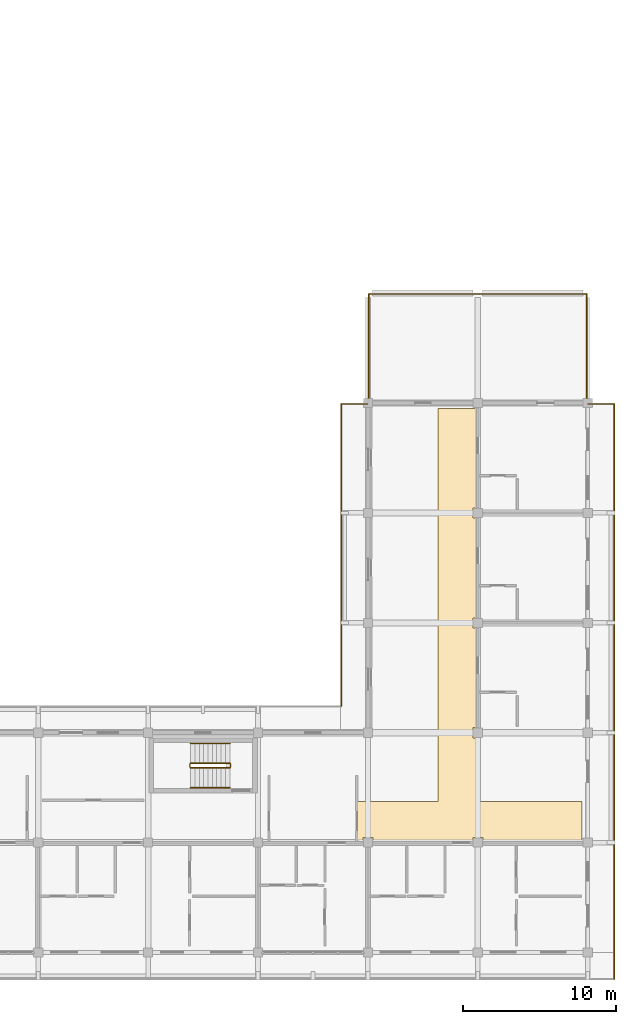
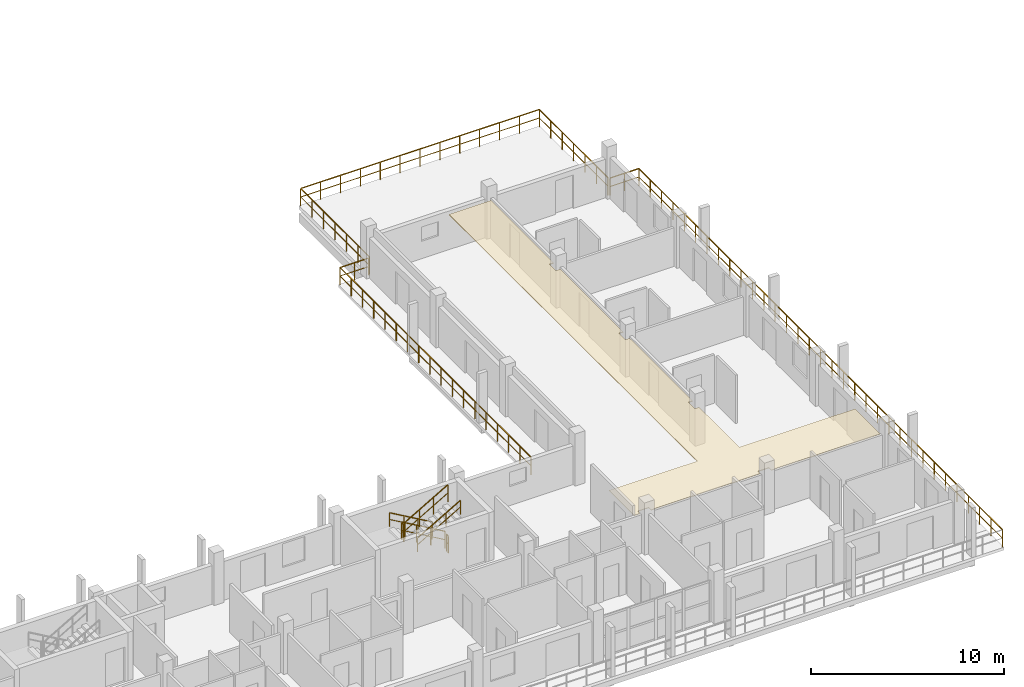
# One storey, part 71 of 75: 13 railings, 1 covering.
"""IFC4 building model written with IfcOpenShell, lengths in metres."""

from ifc_helpers import new_model, si_unit, direction, frame, origin, origin_2d, place, context, subcontext, project, spatial, polyline, rectangle, outline, extrude, material, layer, layer_set, type_object, element, save


model = new_model("IFC4")

# Units and contexts
model_context = context("Model", 3, precision=1e-05, world=origin(), true_north=direction((0.0, 1.0)))
body_context = subcontext(model_context, "Body", "Model", "MODEL_VIEW")
ifc_project = project(units=[si_unit("LENGTHUNIT", "METRE"), si_unit("AREAUNIT", "SQUARE_METRE"), si_unit("VOLUMEUNIT", "CUBIC_METRE"), si_unit("PLANEANGLEUNIT", "RADIAN"), si_unit("MASSUNIT", "GRAM", prefix="KILO")], contexts=[model_context])

# Site, building, storey
site_placement = place(None, origin())
site = spatial("IfcSite", under=ifc_project, at=site_placement, CompositionType="ELEMENT")
building_placement = place(site_placement, origin())
building = spatial("IfcBuilding", under=site, at=building_placement, Name="Suanplinth Sawtooth Commons", CompositionType="ELEMENT")
storey_placement = place(building_placement, frame((0.0, 0.0, 18.60009765625)))
storey = spatial("IfcBuildingStorey", under=building, at=storey_placement, Name="L05", CompositionType="ELEMENT", Elevation=18.60009765625)

# Covering
ifc_material_1 = material(Name="Mineral fibre acoustic tile")
ifc_layer = layer(ifc_material_1, 0.0400390625, Name="Perforated mineral-fibre acoustic suspended ceiling")
ifc_layer_set = layer_set([ifc_layer], Name="Mineral fibre acoustic tile")
covering_type = type_object("IfcCoveringType", Name="CV-CE01", PredefinedType="CEILING", material=ifc_layer_set)
covering_placement = place(storey_placement, frame((0.0, 0.0, 2.3798828125)))
element("IfcCovering", 1, at=covering_placement, inside=storey, type_object=covering_type, Name="L05 Block C Corridor Acoustic Ceiling", PredefinedType="CEILING", context=body_context, shape_type="SweptSolid", body=[
    extrude(outline(polyline([(172.1201171875, 9.89990234375), (177.39990234375, 9.89990234375), (177.39990234375, 35.639892578125), (179.919921875, 35.639892578125), (179.919921875, 29.1298828125), (179.669921875, 29.1298828125), (179.669921875, 28.469970703125), (179.919921875, 28.469970703125), (179.919921875, 21.929931640625), (179.669921875, 21.929931640625), (179.669921875, 21.27001953125), (179.919921875, 21.27001953125), (179.919921875, 14.72998046875), (179.669921875, 14.72998046875), (179.669921875, 14.070068359375), (179.919921875, 14.070068359375), (179.919921875, 9.89990234375), (186.840087890625, 9.89990234375), (186.840087890625, 7.280029296875), (180.330078125, 7.280029296875), (180.330078125, 7.530029296875), (179.669921875, 7.530029296875), (179.669921875, 7.280029296875), (173.1298828125, 7.280029296875), (173.1298828125, 7.530029296875), (172.469970703125, 7.530029296875), (172.469970703125, 7.280029296875), (172.1201171875, 7.280029296875), (172.1201171875, 9.89990234375)])), origin(), (0.0, 0.0, 1.0), 0.0400390625),
])

# Railings
ifc_material_2 = material(Name="Powder-coated galvanized steel", Category="steel")
railing_type_1 = type_object("IfcRailingType", Name="GR-01", PredefinedType="BALUSTRADE", material=ifc_material_2)
railing_1_placement = place(storey_placement, frame((171.06005859375, 16.139892578125, 0.0)))
element("IfcRailing", 2, at=railing_1_placement, inside=storey, type_object=railing_type_1, Name="L05 Block C Perimeter Balustrade 7", PredefinedType="BALUSTRADE", context=body_context, shape_type="SweptSolid", body=[
    extrude(rectangle(XDim=0.048095703125, YDim=0.048095703125, at=origin_2d()), frame((0.0, 0.0, 1.09619140625), z_axis=(0.0, 1.0, 0.0), x_axis=(-1.0, 0.0, 0.0)), (0.0, 0.0, 1.0), 19.800048828125),
    extrude(rectangle(XDim=0.03369140625, YDim=0.03369140625, at=origin_2d()), frame((0.0, 0.0, 0.56005859375), z_axis=(0.0, 1.0, 0.0), x_axis=(-1.0, 0.0, 0.0)), (0.0, 0.0, 1.0), 19.800048828125),
    extrude(rectangle(XDim=0.0419921875, YDim=0.0419921875, at=origin_2d()), origin(), (0.0, 0.0, 1.0), 1.072021484375),
    extrude(rectangle(XDim=0.0419921875, YDim=0.0419921875, at=origin_2d()), frame((0.0, 1.164794921875, 0.0)), (0.0, 0.0, 1.0), 1.072021484375),
    extrude(rectangle(XDim=0.0419921875, YDim=0.0419921875, at=origin_2d()), frame((0.0, 2.329345703125, 0.0)), (0.0, 0.0, 1.0), 1.072021484375),
    extrude(rectangle(XDim=0.0419921875, YDim=0.0419921875, at=origin_2d()), frame((0.0, 3.494140625, 0.0)), (0.0, 0.0, 1.0), 1.072021484375),
    extrude(rectangle(XDim=0.0419921875, YDim=0.0419921875, at=origin_2d()), frame((0.0, 4.658935546875, 0.0)), (0.0, 0.0, 1.0), 1.072021484375),
    extrude(rectangle(XDim=0.0419921875, YDim=0.0419921875, at=origin_2d()), frame((0.0, 5.823486328125, 0.0)), (0.0, 0.0, 1.0), 1.072021484375),
    extrude(rectangle(XDim=0.0419921875, YDim=0.0419921875, at=origin_2d()), frame((0.0, 6.98828125, 0.0)), (0.0, 0.0, 1.0), 1.072021484375),
    extrude(rectangle(XDim=0.0419921875, YDim=0.0419921875, at=origin_2d()), frame((0.0, 8.153076171875, 0.0)), (0.0, 0.0, 1.0), 1.072021484375),
    extrude(rectangle(XDim=0.0419921875, YDim=0.0419921875, at=origin_2d()), frame((0.0, 9.317626953125, 0.0)), (0.0, 0.0, 1.0), 1.072021484375),
    extrude(rectangle(XDim=0.0419921875, YDim=0.0419921875, at=origin_2d()), frame((0.0, 10.482421875, 0.0)), (0.0, 0.0, 1.0), 1.072021484375),
    extrude(rectangle(XDim=0.0419921875, YDim=0.0419921875, at=origin_2d()), frame((0.0, 11.64697265625, 0.0)), (0.0, 0.0, 1.0), 1.072021484375),
    extrude(rectangle(XDim=0.0419921875, YDim=0.0419921875, at=origin_2d()), frame((0.0, 12.811767578125, 0.0)), (0.0, 0.0, 1.0), 1.072021484375),
    extrude(rectangle(XDim=0.0419921875, YDim=0.0419921875, at=origin_2d()), frame((0.0, 13.9765625, 0.0)), (0.0, 0.0, 1.0), 1.072021484375),
    extrude(rectangle(XDim=0.0419921875, YDim=0.0419921875, at=origin_2d()), frame((0.0, 15.14111328125, 0.0)), (0.0, 0.0, 1.0), 1.072021484375),
    extrude(rectangle(XDim=0.0419921875, YDim=0.0419921875, at=origin_2d()), frame((0.0, 16.305908203125, 0.0)), (0.0, 0.0, 1.0), 1.072021484375),
    extrude(rectangle(XDim=0.0419921875, YDim=0.0419921875, at=origin_2d()), frame((0.0, 17.470703125, 0.0)), (0.0, 0.0, 1.0), 1.072021484375),
    extrude(rectangle(XDim=0.0419921875, YDim=0.0419921875, at=origin_2d()), frame((0.0, 18.63525390625, 0.0)), (0.0, 0.0, 1.0), 1.072021484375),
    extrude(rectangle(XDim=0.0419921875, YDim=0.0419921875, at=origin_2d()), frame((0.0, 19.800048828125, 0.0)), (0.0, 0.0, 1.0), 1.072021484375),
])
railing_2_placement = place(storey_placement, frame((171.06005859375, 35.93994140625, 0.0)))
element("IfcRailing", 3, at=railing_2_placement, inside=storey, type_object=railing_type_1, Name="L05 Block C Perimeter Balustrade 8", PredefinedType="BALUSTRADE", context=body_context, shape_type="SweptSolid", body=[
    extrude(rectangle(XDim=0.048095703125, YDim=0.048095703125, at=origin_2d()), frame((0.0, 0.0, 1.09619140625), z_axis=(1.0, 0.0, 0.0), x_axis=(0.0, 1.0, 0.0)), (0.0, 0.0, 1.0), 1.719970703125),
    extrude(rectangle(XDim=0.03369140625, YDim=0.03369140625, at=origin_2d()), frame((0.0, 0.0, 0.56005859375), z_axis=(1.0, 0.0, 0.0), x_axis=(0.0, 1.0, 0.0)), (0.0, 0.0, 1.0), 1.719970703125),
    extrude(rectangle(XDim=0.0419921875, YDim=0.0419921875, at=origin_2d()), origin(), (0.0, 0.0, 1.0), 1.072021484375),
    extrude(rectangle(XDim=0.0419921875, YDim=0.0419921875, at=origin_2d()), frame((0.85986328125, 0.0, 0.0)), (0.0, 0.0, 1.0), 1.072021484375),
    extrude(rectangle(XDim=0.0419921875, YDim=0.0419921875, at=origin_2d()), frame((1.719970703125, 0.0, 0.0)), (0.0, 0.0, 1.0), 1.072021484375),
])
railing_3_placement = place(storey_placement, frame((172.860107421875, 36.02001953125, 0.0)))
element("IfcRailing", 4, at=railing_3_placement, inside=storey, type_object=railing_type_1, Name="L05 Block C Perimeter Balustrade 9", PredefinedType="BALUSTRADE", context=body_context, shape_type="SweptSolid", body=[
    extrude(rectangle(XDim=0.048095703125, YDim=0.048095703125, at=origin_2d()), frame((0.0, 0.0, 1.09619140625), z_axis=(0.0, 1.0, 0.0), x_axis=(-1.0, 0.0, 0.0)), (0.0, 0.0, 1.0), 7.119873046875),
    extrude(rectangle(XDim=0.03369140625, YDim=0.03369140625, at=origin_2d()), frame((0.0, 0.0, 0.56005859375), z_axis=(0.0, 1.0, 0.0), x_axis=(-1.0, 0.0, 0.0)), (0.0, 0.0, 1.0), 7.119873046875),
    extrude(rectangle(XDim=0.0419921875, YDim=0.0419921875, at=origin_2d()), origin(), (0.0, 0.0, 1.0), 1.072021484375),
    extrude(rectangle(XDim=0.0419921875, YDim=0.0419921875, at=origin_2d()), frame((0.0, 1.1865234375, 0.0)), (0.0, 0.0, 1.0), 1.072021484375),
    extrude(rectangle(XDim=0.0419921875, YDim=0.0419921875, at=origin_2d()), frame((0.0, 2.373291015625, 0.0)), (0.0, 0.0, 1.0), 1.072021484375),
    extrude(rectangle(XDim=0.0419921875, YDim=0.0419921875, at=origin_2d()), frame((0.0, 3.56005859375, 0.0)), (0.0, 0.0, 1.0), 1.072021484375),
    extrude(rectangle(XDim=0.0419921875, YDim=0.0419921875, at=origin_2d()), frame((0.0, 4.74658203125, 0.0)), (0.0, 0.0, 1.0), 1.072021484375),
    extrude(rectangle(XDim=0.0419921875, YDim=0.0419921875, at=origin_2d()), frame((0.0, 5.93310546875, 0.0)), (0.0, 0.0, 1.0), 1.072021484375),
    extrude(rectangle(XDim=0.0419921875, YDim=0.0419921875, at=origin_2d()), frame((0.0, 7.119873046875, 0.0)), (0.0, 0.0, 1.0), 1.072021484375),
])
railing_4_placement = place(storey_placement, frame((172.860107421875, 43.139892578125, 0.0)))
element("IfcRailing", 5, at=railing_4_placement, inside=storey, type_object=railing_type_1, Name="L05 Block C Perimeter Balustrade 10", PredefinedType="BALUSTRADE", context=body_context, shape_type="SweptSolid", body=[
    extrude(rectangle(XDim=0.048095703125, YDim=0.048095703125, at=origin_2d()), frame((0.0, 0.0, 1.09619140625), z_axis=(1.0, 0.0, 0.0), x_axis=(0.0, 1.0, 0.0)), (0.0, 0.0, 1.0), 14.27978515625),
    extrude(rectangle(XDim=0.03369140625, YDim=0.03369140625, at=origin_2d()), frame((0.0, 0.0, 0.56005859375), z_axis=(1.0, 0.0, 0.0), x_axis=(0.0, 1.0, 0.0)), (0.0, 0.0, 1.0), 14.27978515625),
    extrude(rectangle(XDim=0.0419921875, YDim=0.0419921875, at=origin_2d()), origin(), (0.0, 0.0, 1.0), 1.072021484375),
    extrude(rectangle(XDim=0.0419921875, YDim=0.0419921875, at=origin_2d()), frame((1.18994140625, 0.0, 0.0)), (0.0, 0.0, 1.0), 1.072021484375),
    extrude(rectangle(XDim=0.0419921875, YDim=0.0419921875, at=origin_2d()), frame((2.3798828125, 0.0, 0.0)), (0.0, 0.0, 1.0), 1.072021484375),
    extrude(rectangle(XDim=0.0419921875, YDim=0.0419921875, at=origin_2d()), frame((3.56982421875, 0.0, 0.0)), (0.0, 0.0, 1.0), 1.072021484375),
    extrude(rectangle(XDim=0.0419921875, YDim=0.0419921875, at=origin_2d()), frame((4.760009765625, 0.0, 0.0)), (0.0, 0.0, 1.0), 1.072021484375),
    extrude(rectangle(XDim=0.0419921875, YDim=0.0419921875, at=origin_2d()), frame((5.949951171875, 0.0, 0.0)), (0.0, 0.0, 1.0), 1.072021484375),
    extrude(rectangle(XDim=0.0419921875, YDim=0.0419921875, at=origin_2d()), frame((7.139892578125, 0.0, 0.0)), (0.0, 0.0, 1.0), 1.072021484375),
    extrude(rectangle(XDim=0.0419921875, YDim=0.0419921875, at=origin_2d()), frame((8.329833984375, 0.0, 0.0)), (0.0, 0.0, 1.0), 1.072021484375),
    extrude(rectangle(XDim=0.0419921875, YDim=0.0419921875, at=origin_2d()), frame((9.519775390625, 0.0, 0.0)), (0.0, 0.0, 1.0), 1.072021484375),
    extrude(rectangle(XDim=0.0419921875, YDim=0.0419921875, at=origin_2d()), frame((10.7099609375, 0.0, 0.0)), (0.0, 0.0, 1.0), 1.072021484375),
    extrude(rectangle(XDim=0.0419921875, YDim=0.0419921875, at=origin_2d()), frame((11.89990234375, 0.0, 0.0)), (0.0, 0.0, 1.0), 1.072021484375),
    extrude(rectangle(XDim=0.0419921875, YDim=0.0419921875, at=origin_2d()), frame((13.08984375, 0.0, 0.0)), (0.0, 0.0, 1.0), 1.072021484375),
    extrude(rectangle(XDim=0.0419921875, YDim=0.0419921875, at=origin_2d()), frame((14.27978515625, 0.0, 0.0)), (0.0, 0.0, 1.0), 1.072021484375),
])
railing_5_placement = place(storey_placement, frame((187.139892578125, 43.139892578125, 0.0)))
element("IfcRailing", 6, at=railing_5_placement, inside=storey, type_object=railing_type_1, Name="L05 Block C Perimeter Balustrade 11", PredefinedType="BALUSTRADE", context=body_context, shape_type="SweptSolid", body=[
    extrude(rectangle(XDim=0.048095703125, YDim=0.048095703125, at=origin_2d()), frame((0.0, 0.0, 1.09619140625), z_axis=(0.0, -1.0, 0.0), x_axis=(1.0, 0.0, 0.0)), (0.0, 0.0, 1.0), 7.119873046875),
    extrude(rectangle(XDim=0.03369140625, YDim=0.03369140625, at=origin_2d()), frame((0.0, 0.0, 0.56005859375), z_axis=(0.0, -1.0, 0.0), x_axis=(1.0, 0.0, 0.0)), (0.0, 0.0, 1.0), 7.119873046875),
    extrude(rectangle(XDim=0.0419921875, YDim=0.0419921875, at=origin_2d()), origin(), (0.0, 0.0, 1.0), 1.072021484375),
    extrude(rectangle(XDim=0.0419921875, YDim=0.0419921875, at=origin_2d()), frame((0.0, -1.1865234375, 0.0)), (0.0, 0.0, 1.0), 1.072021484375),
    extrude(rectangle(XDim=0.0419921875, YDim=0.0419921875, at=origin_2d()), frame((0.0, -2.373291015625, 0.0)), (0.0, 0.0, 1.0), 1.072021484375),
    extrude(rectangle(XDim=0.0419921875, YDim=0.0419921875, at=origin_2d()), frame((0.0, -3.56005859375, 0.0)), (0.0, 0.0, 1.0), 1.072021484375),
    extrude(rectangle(XDim=0.0419921875, YDim=0.0419921875, at=origin_2d()), frame((0.0, -4.74658203125, 0.0)), (0.0, 0.0, 1.0), 1.072021484375),
    extrude(rectangle(XDim=0.0419921875, YDim=0.0419921875, at=origin_2d()), frame((0.0, -5.93310546875, 0.0)), (0.0, 0.0, 1.0), 1.072021484375),
    extrude(rectangle(XDim=0.0419921875, YDim=0.0419921875, at=origin_2d()), frame((0.0, -7.119873046875, 0.0)), (0.0, 0.0, 1.0), 1.072021484375),
])
railing_6_placement = place(storey_placement, frame((187.219970703125, 35.93994140625, 0.0)))
element("IfcRailing", 7, at=railing_6_placement, inside=storey, type_object=railing_type_1, Name="L05 Block C Perimeter Balustrade 12", PredefinedType="BALUSTRADE", context=body_context, shape_type="SweptSolid", body=[
    extrude(rectangle(XDim=0.048095703125, YDim=0.048095703125, at=origin_2d()), frame((0.0, 0.0, 1.09619140625), z_axis=(1.0, 0.0, 0.0), x_axis=(0.0, 1.0, 0.0)), (0.0, 0.0, 1.0), 1.719970703125),
    extrude(rectangle(XDim=0.03369140625, YDim=0.03369140625, at=origin_2d()), frame((0.0, 0.0, 0.56005859375), z_axis=(1.0, 0.0, 0.0), x_axis=(0.0, 1.0, 0.0)), (0.0, 0.0, 1.0), 1.719970703125),
    extrude(rectangle(XDim=0.0419921875, YDim=0.0419921875, at=origin_2d()), origin(), (0.0, 0.0, 1.0), 1.072021484375),
    extrude(rectangle(XDim=0.0419921875, YDim=0.0419921875, at=origin_2d()), frame((0.85986328125, 0.0, 0.0)), (0.0, 0.0, 1.0), 1.072021484375),
    extrude(rectangle(XDim=0.0419921875, YDim=0.0419921875, at=origin_2d()), frame((1.719970703125, 0.0, 0.0)), (0.0, 0.0, 1.0), 1.072021484375),
])
railing_7_placement = place(storey_placement, frame((188.93994140625, 35.93994140625, 0.0)))
element("IfcRailing", 8, at=railing_7_placement, inside=storey, type_object=railing_type_1, Name="L05 Block C Perimeter Balustrade 13", PredefinedType="BALUSTRADE", context=body_context, shape_type="SweptSolid", body=[
    extrude(rectangle(XDim=0.048095703125, YDim=0.048095703125, at=origin_2d()), frame((0.0, 0.0, 1.09619140625), z_axis=(0.0, -1.0, 0.0), x_axis=(1.0, 0.0, 0.0)), (0.0, 0.0, 1.0), 37.679931640625),
    extrude(rectangle(XDim=0.03369140625, YDim=0.03369140625, at=origin_2d()), frame((0.0, 0.0, 0.56005859375), z_axis=(0.0, -1.0, 0.0), x_axis=(1.0, 0.0, 0.0)), (0.0, 0.0, 1.0), 37.679931640625),
    extrude(rectangle(XDim=0.0419921875, YDim=0.0419921875, at=origin_2d()), origin(), (0.0, 0.0, 1.0), 1.072021484375),
    extrude(rectangle(XDim=0.0419921875, YDim=0.0419921875, at=origin_2d()), frame((0.0, -1.177490234375, 0.0)), (0.0, 0.0, 1.0), 1.072021484375),
    extrude(rectangle(XDim=0.0419921875, YDim=0.0419921875, at=origin_2d()), frame((0.0, -2.35498046875, 0.0)), (0.0, 0.0, 1.0), 1.072021484375),
    extrude(rectangle(XDim=0.0419921875, YDim=0.0419921875, at=origin_2d()), frame((0.0, -3.532470703125, 0.0)), (0.0, 0.0, 1.0), 1.072021484375),
    extrude(rectangle(XDim=0.0419921875, YDim=0.0419921875, at=origin_2d()), frame((0.0, -4.7099609375, 0.0)), (0.0, 0.0, 1.0), 1.072021484375),
    extrude(rectangle(XDim=0.0419921875, YDim=0.0419921875, at=origin_2d()), frame((0.0, -5.887451171875, 0.0)), (0.0, 0.0, 1.0), 1.072021484375),
    extrude(rectangle(XDim=0.0419921875, YDim=0.0419921875, at=origin_2d()), frame((0.0, -7.06494140625, 0.0)), (0.0, 0.0, 1.0), 1.072021484375),
    extrude(rectangle(XDim=0.0419921875, YDim=0.0419921875, at=origin_2d()), frame((0.0, -8.242431640625, 0.0)), (0.0, 0.0, 1.0), 1.072021484375),
    extrude(rectangle(XDim=0.0419921875, YDim=0.0419921875, at=origin_2d()), frame((0.0, -9.419921875, 0.0)), (0.0, 0.0, 1.0), 1.072021484375),
    extrude(rectangle(XDim=0.0419921875, YDim=0.0419921875, at=origin_2d()), frame((0.0, -10.597412109375, 0.0)), (0.0, 0.0, 1.0), 1.072021484375),
    extrude(rectangle(XDim=0.0419921875, YDim=0.0419921875, at=origin_2d()), frame((0.0, -11.77490234375, 0.0)), (0.0, 0.0, 1.0), 1.072021484375),
    extrude(rectangle(XDim=0.0419921875, YDim=0.0419921875, at=origin_2d()), frame((0.0, -12.952392578125, 0.0)), (0.0, 0.0, 1.0), 1.072021484375),
    extrude(rectangle(XDim=0.0419921875, YDim=0.0419921875, at=origin_2d()), frame((0.0, -14.1298828125, 0.0)), (0.0, 0.0, 1.0), 1.072021484375),
    extrude(rectangle(XDim=0.0419921875, YDim=0.0419921875, at=origin_2d()), frame((0.0, -15.307373046875, 0.0)), (0.0, 0.0, 1.0), 1.072021484375),
    extrude(rectangle(XDim=0.0419921875, YDim=0.0419921875, at=origin_2d()), frame((0.0, -16.48486328125, 0.0)), (0.0, 0.0, 1.0), 1.072021484375),
    extrude(rectangle(XDim=0.0419921875, YDim=0.0419921875, at=origin_2d()), frame((0.0, -17.662353515625, 0.0)), (0.0, 0.0, 1.0), 1.072021484375),
    extrude(rectangle(XDim=0.0419921875, YDim=0.0419921875, at=origin_2d()), frame((0.0, -18.83984375, 0.0)), (0.0, 0.0, 1.0), 1.072021484375),
    extrude(rectangle(XDim=0.0419921875, YDim=0.0419921875, at=origin_2d()), frame((0.0, -20.017578125, 0.0)), (0.0, 0.0, 1.0), 1.072021484375),
    extrude(rectangle(XDim=0.0419921875, YDim=0.0419921875, at=origin_2d()), frame((0.0, -21.195068359375, 0.0)), (0.0, 0.0, 1.0), 1.072021484375),
    extrude(rectangle(XDim=0.0419921875, YDim=0.0419921875, at=origin_2d()), frame((0.0, -22.37255859375, 0.0)), (0.0, 0.0, 1.0), 1.072021484375),
    extrude(rectangle(XDim=0.0419921875, YDim=0.0419921875, at=origin_2d()), frame((0.0, -23.550048828125, 0.0)), (0.0, 0.0, 1.0), 1.072021484375),
    extrude(rectangle(XDim=0.0419921875, YDim=0.0419921875, at=origin_2d()), frame((0.0, -24.7275390625, 0.0)), (0.0, 0.0, 1.0), 1.072021484375),
    extrude(rectangle(XDim=0.0419921875, YDim=0.0419921875, at=origin_2d()), frame((0.0, -25.905029296875, 0.0)), (0.0, 0.0, 1.0), 1.072021484375),
    extrude(rectangle(XDim=0.0419921875, YDim=0.0419921875, at=origin_2d()), frame((0.0, -27.08251953125, 0.0)), (0.0, 0.0, 1.0), 1.072021484375),
    extrude(rectangle(XDim=0.0419921875, YDim=0.0419921875, at=origin_2d()), frame((0.0, -28.260009765625, 0.0)), (0.0, 0.0, 1.0), 1.072021484375),
    extrude(rectangle(XDim=0.0419921875, YDim=0.0419921875, at=origin_2d()), frame((0.0, -29.4375, 0.0)), (0.0, 0.0, 1.0), 1.072021484375),
    extrude(rectangle(XDim=0.0419921875, YDim=0.0419921875, at=origin_2d()), frame((0.0, -30.614990234375, 0.0)), (0.0, 0.0, 1.0), 1.072021484375),
    extrude(rectangle(XDim=0.0419921875, YDim=0.0419921875, at=origin_2d()), frame((0.0, -31.79248046875, 0.0)), (0.0, 0.0, 1.0), 1.072021484375),
    extrude(rectangle(XDim=0.0419921875, YDim=0.0419921875, at=origin_2d()), frame((0.0, -32.969970703125, 0.0)), (0.0, 0.0, 1.0), 1.072021484375),
    extrude(rectangle(XDim=0.0419921875, YDim=0.0419921875, at=origin_2d()), frame((0.0, -34.1474609375, 0.0)), (0.0, 0.0, 1.0), 1.072021484375),
    extrude(rectangle(XDim=0.0419921875, YDim=0.0419921875, at=origin_2d()), frame((0.0, -35.324951171875, 0.0)), (0.0, 0.0, 1.0), 1.072021484375),
    extrude(rectangle(XDim=0.0419921875, YDim=0.0419921875, at=origin_2d()), frame((0.0, -36.50244140625, 0.0)), (0.0, 0.0, 1.0), 1.072021484375),
    extrude(rectangle(XDim=0.0419921875, YDim=0.0419921875, at=origin_2d()), frame((0.0, -37.679931640625, 0.0)), (0.0, 0.0, 1.0), 1.072021484375),
])
ifc_material_3 = material(Name="Stainless steel Grade 304", Category="steel")
railing_type_2 = type_object("IfcRailingType", Name="GR-04", PredefinedType="GUARDRAIL", material=ifc_material_3)
railing_8_placement = place(storey_placement, frame((163.75, 12.39990234375, 0.164794921875)))
element("IfcRailing", 9, at=railing_8_placement, inside=storey, type_object=railing_type_2, Name="L05 ST-S2 Guard 1", PredefinedType="GUARDRAIL", context=body_context, shape_type="SweptSolid", body=[
    extrude(rectangle(XDim=0.048095703125, YDim=0.048095703125, at=origin_2d()), frame((0.0, 0.0, 1.076171875), z_axis=(-0.865405606168, 0.0, 0.501071987656), x_axis=(0.0, -1.0, 0.0)), (0.0, 0.0, 1.0), 2.9638671875),
    extrude(rectangle(XDim=0.03369140625, YDim=0.03369140625, at=origin_2d()), frame((0.0, 0.0, 0.550048828125), z_axis=(-0.865405606168, 0.0, 0.501071987656), x_axis=(0.0, -1.0, 0.0)), (0.0, 0.0, 1.0), 2.9638671875),
    extrude(rectangle(XDim=0.0419921875, YDim=0.0419921875, at=origin_2d()), origin(), (0.0, 0.0, 1.0), 1.052001953125),
    extrude(rectangle(XDim=0.0419921875, YDim=0.0419921875, at=origin_2d()), frame((-0.85498046875, 0.0, 0.4951171875)), (0.0, 0.0, 1.0), 1.052001953125),
    extrude(rectangle(XDim=0.0419921875, YDim=0.0419921875, at=origin_2d()), frame((-1.7099609375, 0.0, 0.989990234375)), (0.0, 0.0, 1.0), 1.052001953125),
    extrude(rectangle(XDim=0.0419921875, YDim=0.0419921875, at=origin_2d()), frame((-2.56494140625, 0.0, 1.485107421875)), (0.0, 0.0, 1.0), 1.052001953125),
])
railing_9_placement = place(storey_placement, frame((161.135009765625, 12.35009765625, 1.64990234375)))
element("IfcRailing", 10, at=railing_9_placement, inside=storey, type_object=railing_type_2, Name="L05 ST-S2 Guard 2", PredefinedType="GUARDRAIL", context=body_context, shape_type="SweptSolid", body=[
    extrude(rectangle(XDim=0.048095703125, YDim=0.048095703125, at=origin_2d()), frame((0.0, 0.0, 1.076171875), z_axis=(0.0, -1.0, 0.0), x_axis=(1.0, 0.0, 0.0)), (0.0, 0.0, 1.0), 0.2001953125),
    extrude(rectangle(XDim=0.03369140625, YDim=0.03369140625, at=origin_2d()), frame((0.0, 0.0, 0.550048828125), z_axis=(0.0, -1.0, 0.0), x_axis=(1.0, 0.0, 0.0)), (0.0, 0.0, 1.0), 0.2001953125),
    extrude(rectangle(XDim=0.0419921875, YDim=0.0419921875, at=origin_2d()), origin(), (0.0, 0.0, 1.0), 1.052001953125),
    extrude(rectangle(XDim=0.0419921875, YDim=0.0419921875, at=origin_2d()), frame((0.0, -0.2001953125, 0.0)), (0.0, 0.0, 1.0), 1.052001953125),
])
railing_10_placement = place(storey_placement, frame((161.18505859375, 12.10009765625, 1.81494140625)))
element("IfcRailing", 11, at=railing_10_placement, inside=storey, type_object=railing_type_2, Name="L05 ST-S2 Guard 3", PredefinedType="GUARDRAIL", context=body_context, shape_type="SweptSolid", body=[
    extrude(rectangle(XDim=0.048095703125, YDim=0.048095703125, at=origin_2d()), frame((0.0, 0.0, 1.076171875), z_axis=(0.865441324677, 0.0, 0.50101029285), x_axis=(0.0, 1.0, 0.0)), (0.0, 0.0, 1.0), 2.963623046875),
    extrude(rectangle(XDim=0.03369140625, YDim=0.03369140625, at=origin_2d()), frame((0.0, 0.0, 0.550048828125), z_axis=(0.865441324677, 0.0, 0.50101029285), x_axis=(0.0, 1.0, 0.0)), (0.0, 0.0, 1.0), 2.963623046875),
    extrude(rectangle(XDim=0.0419921875, YDim=0.0419921875, at=origin_2d()), origin(), (0.0, 0.0, 1.0), 1.052001953125),
    extrude(rectangle(XDim=0.0419921875, YDim=0.0419921875, at=origin_2d()), frame((0.85498046875, 0.0, 0.494873046875)), (0.0, 0.0, 1.0), 1.052001953125),
    extrude(rectangle(XDim=0.0419921875, YDim=0.0419921875, at=origin_2d()), frame((1.7099609375, 0.0, 0.989990234375)), (0.0, 0.0, 1.0), 1.052001953125),
    extrude(rectangle(XDim=0.0419921875, YDim=0.0419921875, at=origin_2d()), frame((2.56494140625, 0.0, 1.48486328125)), (0.0, 0.0, 1.0), 1.052001953125),
])
railing_11_placement = place(storey_placement, frame((163.800048828125, 12.35009765625, 0.0)))
element("IfcRailing", 12, at=railing_11_placement, inside=storey, type_object=railing_type_2, Name="L05 ST-S2 Guard 4", PredefinedType="GUARDRAIL", context=body_context, shape_type="SweptSolid", body=[
    extrude(rectangle(XDim=0.048095703125, YDim=0.048095703125, at=origin_2d()), frame((0.0, 0.0, 1.076171875), z_axis=(0.0, -1.0, 0.0), x_axis=(1.0, 0.0, 0.0)), (0.0, 0.0, 1.0), 0.2001953125),
    extrude(rectangle(XDim=0.03369140625, YDim=0.03369140625, at=origin_2d()), frame((0.0, 0.0, 0.550048828125), z_axis=(0.0, -1.0, 0.0), x_axis=(1.0, 0.0, 0.0)), (0.0, 0.0, 1.0), 0.2001953125),
    extrude(rectangle(XDim=0.0419921875, YDim=0.0419921875, at=origin_2d()), origin(), (0.0, 0.0, 1.0), 1.052001953125),
    extrude(rectangle(XDim=0.0419921875, YDim=0.0419921875, at=origin_2d()), frame((0.0, -0.2001953125, 0.0)), (0.0, 0.0, 1.0), 1.052001953125),
])
railing_type_3 = type_object("IfcRailingType", Name="HR-01", PredefinedType="HANDRAIL", material=ifc_material_3)
railing_12_placement = place(storey_placement, frame((163.75, 13.699951171875, 0.164794921875)))
element("IfcRailing", 13, at=railing_12_placement, inside=storey, type_object=railing_type_3, Name="L05 ST-S2 Handrail 1", PredefinedType="HANDRAIL", context=body_context, shape_type="SweptSolid", body=[
    extrude(rectangle(XDim=0.048095703125, YDim=0.048095703125, at=origin_2d()), frame((0.0, 0.0, 0.8759765625), z_axis=(-0.865405606168, 0.0, 0.501071987656), x_axis=(0.0, -1.0, 0.0)), (0.0, 0.0, 1.0), 2.9638671875),
    extrude(rectangle(XDim=0.03369140625, YDim=0.03369140625, at=origin_2d()), frame((0.0, 0.0, 0.449951171875), z_axis=(-0.865405606168, 0.0, 0.501071987656), x_axis=(0.0, -1.0, 0.0)), (0.0, 0.0, 1.0), 2.9638671875),
    extrude(rectangle(XDim=0.0419921875, YDim=0.0419921875, at=origin_2d()), origin(), (0.0, 0.0, 1.0), 0.851806640625),
    extrude(rectangle(XDim=0.0419921875, YDim=0.0419921875, at=origin_2d()), frame((-0.85498046875, 0.0, 0.4951171875)), (0.0, 0.0, 1.0), 0.851806640625),
    extrude(rectangle(XDim=0.0419921875, YDim=0.0419921875, at=origin_2d()), frame((-1.7099609375, 0.0, 0.989990234375)), (0.0, 0.0, 1.0), 0.851806640625),
    extrude(rectangle(XDim=0.0419921875, YDim=0.0419921875, at=origin_2d()), frame((-2.56494140625, 0.0, 1.485107421875)), (0.0, 0.0, 1.0), 0.851806640625),
])
railing_13_placement = place(storey_placement, frame((161.18505859375, 10.800048828125, 1.81494140625)))
element("IfcRailing", 14, at=railing_13_placement, inside=storey, type_object=railing_type_3, Name="L05 ST-S2 Handrail 2", PredefinedType="HANDRAIL", context=body_context, shape_type="SweptSolid", body=[
    extrude(rectangle(XDim=0.048095703125, YDim=0.048095703125, at=origin_2d()), frame((0.0, 0.0, 0.8759765625), z_axis=(0.865441324677, 0.0, 0.50101029285), x_axis=(0.0, 1.0, 0.0)), (0.0, 0.0, 1.0), 2.963623046875),
    extrude(rectangle(XDim=0.03369140625, YDim=0.03369140625, at=origin_2d()), frame((0.0, 0.0, 0.449951171875), z_axis=(0.865441324677, 0.0, 0.50101029285), x_axis=(0.0, 1.0, 0.0)), (0.0, 0.0, 1.0), 2.963623046875),
    extrude(rectangle(XDim=0.0419921875, YDim=0.0419921875, at=origin_2d()), origin(), (0.0, 0.0, 1.0), 0.851806640625),
    extrude(rectangle(XDim=0.0419921875, YDim=0.0419921875, at=origin_2d()), frame((0.85498046875, 0.0, 0.494873046875)), (0.0, 0.0, 1.0), 0.851806640625),
    extrude(rectangle(XDim=0.0419921875, YDim=0.0419921875, at=origin_2d()), frame((1.7099609375, 0.0, 0.989990234375)), (0.0, 0.0, 1.0), 0.851806640625),
    extrude(rectangle(XDim=0.0419921875, YDim=0.0419921875, at=origin_2d()), frame((2.56494140625, 0.0, 1.48486328125)), (0.0, 0.0, 1.0), 0.851806640625),
])

save(model, "model.ifc")
